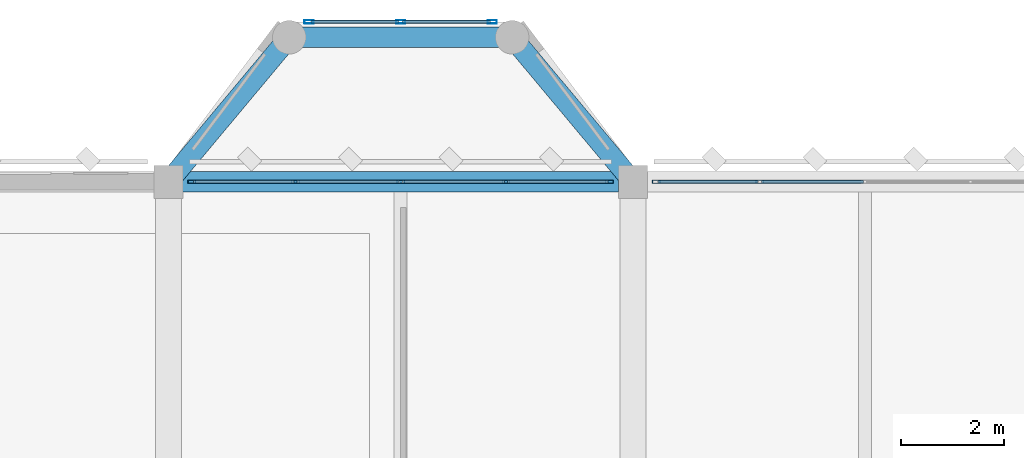
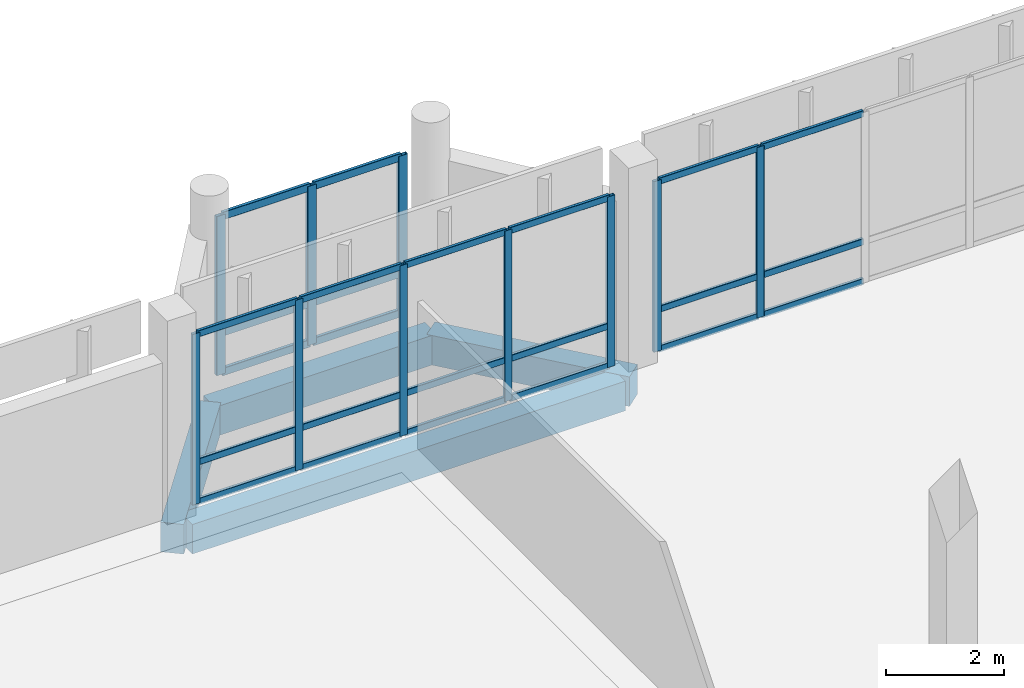
# One storey, part 62 of 158: 34 members, 4 beams, 3 elements without a shape of their own.
"""IFC4 building model written with IfcOpenShell, lengths in metres."""

from ifc_helpers import new_model, si_unit, direction, frame, origin, origin_2d, place, context, subcontext, project, spatial, rectangle, hollow_rectangle, extrude, material, material_profile, profile_set, type_object, element, aggregate, save


model = new_model("IFC4")

# Units and contexts
model_context = context("Model", 3, precision=1e-05, world=origin(), true_north=direction((0.0, 1.0)))
body_context = subcontext(model_context, "Body", "Model", "MODEL_VIEW")
ifc_project = project(units=[si_unit("LENGTHUNIT", "METRE"), si_unit("AREAUNIT", "SQUARE_METRE"), si_unit("VOLUMEUNIT", "CUBIC_METRE"), si_unit("PLANEANGLEUNIT", "RADIAN"), si_unit("MASSUNIT", "GRAM", prefix="KILO")], contexts=[model_context])

# Site, building, storey
site_placement = place(None, origin())
site = spatial("IfcSite", under=ifc_project, at=site_placement, CompositionType="ELEMENT")
building_placement = place(site_placement, origin())
building = spatial("IfcBuilding", under=site, at=building_placement, Name="Lusvemor Sports Hall", CompositionType="ELEMENT")
storey_placement = place(building_placement, frame((0.0, 0.0, 10.800048828125)))
storey = spatial("IfcBuildingStorey", under=building, at=storey_placement, Name="L02", CompositionType="ELEMENT", Elevation=10.800048828125)

# Curtain wall, members
ifc_material_1 = material(Name="Thermally broken bronze-anodized aluminium", Category="aluminium")
curtain_wall_type_1 = type_object("IfcCurtainWallType", Name="CW_FOYER_A", PredefinedType="NOTDEFINED", material=ifc_material_1)
curtain_wall_1_placement = place(storey_placement, origin())
curtain_wall_1 = element("IfcCurtainWall", 1, at=curtain_wall_1_placement, inside=storey, type_object=curtain_wall_type_1, Name="Curtain Wall CW-BOW-N2-L02-M", PredefinedType="NOTDEFINED")
ifc_material_2 = material(Name="Thermally broken bronze-anodized aluminium", Category="aluminium")
ifc_material_profile_1 = material_profile(ifc_material_2, hollow_rectangle(XDim=0.070068359375, YDim=0.179931640625, WallThickness=0.0048828125, InnerFilletRadius=0.0048828125, OuterFilletRadius=0.010009765625, at=origin_2d()), Name="CWMUL180x70x5")
ifc_profile_set_1 = profile_set([ifc_material_profile_1], Name="Thermally broken bronze-anodized aluminium")
member_type_1 = type_object("IfcMemberType", Name="CW_MUL_A", PredefinedType="MULLION", material=ifc_profile_set_1)
member_1_placement = place(storey_placement, frame((78.324951171875, 118.300048828125, 0.0), z_axis=(0.0, 0.0, 1.0), x_axis=(0.0, 1.0, 0.0)))
member_1 = element("IfcMember", 2, at=member_1_placement, type_object=member_type_1, Name="CW01 mullion 1", PredefinedType="MULLION", context=body_context, shape_type="SweptSolid", body=[
    extrude(hollow_rectangle(XDim=0.070068359375, YDim=0.179931640625, WallThickness=0.0048828125, InnerFilletRadius=0.0048828125, OuterFilletRadius=0.010009765625, at=origin_2d()), origin(), (0.0, 0.0, 1.0), 3.280029296875),
])
member_2_placement = place(storey_placement, frame((80.10009765625, 118.300048828125, 0.0), z_axis=(0.0, 0.0, 1.0), x_axis=(0.0, 1.0, 0.0)))
member_2 = element("IfcMember", 3, at=member_2_placement, type_object=member_type_1, Name="CW01 mullion 2", PredefinedType="MULLION", context=body_context, shape_type="SweptSolid", body=[
    extrude(hollow_rectangle(XDim=0.070068359375, YDim=0.179931640625, WallThickness=0.0048828125, InnerFilletRadius=0.0048828125, OuterFilletRadius=0.010009765625, at=origin_2d()), origin(), (0.0, 0.0, 1.0), 3.280029296875),
])
member_3_placement = place(storey_placement, frame((81.875, 118.300048828125, 0.0), z_axis=(0.0, 0.0, 1.0), x_axis=(0.0, 1.0, 0.0)))
member_3 = element("IfcMember", 4, at=member_3_placement, type_object=member_type_1, Name="CW01 mullion 3", PredefinedType="MULLION", context=body_context, shape_type="SweptSolid", body=[
    extrude(hollow_rectangle(XDim=0.070068359375, YDim=0.179931640625, WallThickness=0.0048828125, InnerFilletRadius=0.0048828125, OuterFilletRadius=0.010009765625, at=origin_2d()), origin(), (0.0, 0.0, 1.0), 3.280029296875),
])

ifc_material_3 = material(Name="Thermally broken bronze-anodized aluminium", Category="aluminium")
curtain_wall_type_2 = type_object("IfcCurtainWallType", Name="CW_WING_B", PredefinedType="NOTDEFINED", material=ifc_material_3)
curtain_wall_2_placement = place(storey_placement, origin())
curtain_wall_2 = element("IfcCurtainWall", 5, at=curtain_wall_2_placement, inside=storey, type_object=curtain_wall_type_2, Name="Curtain Wall CW-L02-N-1-7", PredefinedType="NOTDEFINED")
ifc_material_4 = material(Name="Thermally broken bronze-anodized aluminium", Category="aluminium")
ifc_material_profile_2 = material_profile(ifc_material_4, hollow_rectangle(XDim=0.06494140625, YDim=0.14990234375, WallThickness=0.00390625, InnerFilletRadius=0.00390625, OuterFilletRadius=0.008056640625, at=origin_2d()), Name="CWMUL150x65x4")
ifc_profile_set_2 = profile_set([ifc_material_profile_2], Name="Thermally broken bronze-anodized aluminium")
member_type_2 = type_object("IfcMemberType", Name="CW_MUL_B", PredefinedType="MULLION", material=ifc_profile_set_2)
member_4_placement = place(storey_placement, frame((76.052490234375, 115.199951171875, 0.0), z_axis=(0.0, 0.0, 1.0), x_axis=(0.0, 1.0, 0.0)))
member_4 = element("IfcMember", 6, at=member_4_placement, type_object=member_type_2, Name="CW02 mullion 1", PredefinedType="MULLION", context=body_context, shape_type="SweptSolid", body=[
    extrude(hollow_rectangle(XDim=0.06494140625, YDim=0.14990234375, WallThickness=0.00390625, InnerFilletRadius=0.00390625, OuterFilletRadius=0.008056640625, at=origin_2d()), origin(), (0.0, 0.0, 1.0), 3.52001953125),
])
member_5_placement = place(storey_placement, frame((78.06005859375, 115.199951171875, 0.0), z_axis=(0.0, 0.0, 1.0), x_axis=(0.0, 1.0, 0.0)))
member_5 = element("IfcMember", 7, at=member_5_placement, type_object=member_type_2, Name="CW02 mullion 2", PredefinedType="MULLION", context=body_context, shape_type="SweptSolid", body=[
    extrude(hollow_rectangle(XDim=0.06494140625, YDim=0.14990234375, WallThickness=0.00390625, InnerFilletRadius=0.00390625, OuterFilletRadius=0.008056640625, at=origin_2d()), origin(), (0.0, 0.0, 1.0), 3.52001953125),
])
member_6_placement = place(storey_placement, frame((80.10009765625, 115.199951171875, 0.0), z_axis=(0.0, 0.0, 1.0), x_axis=(0.0, 1.0, 0.0)))
member_6 = element("IfcMember", 8, at=member_6_placement, type_object=member_type_2, Name="CW02 mullion 3", PredefinedType="MULLION", context=body_context, shape_type="SweptSolid", body=[
    extrude(hollow_rectangle(XDim=0.06494140625, YDim=0.14990234375, WallThickness=0.00390625, InnerFilletRadius=0.00390625, OuterFilletRadius=0.008056640625, at=origin_2d()), origin(), (0.0, 0.0, 1.0), 3.52001953125),
])
member_7_placement = place(storey_placement, frame((82.139892578125, 115.199951171875, 0.0), z_axis=(0.0, 0.0, 1.0), x_axis=(0.0, 1.0, 0.0)))
member_7 = element("IfcMember", 9, at=member_7_placement, type_object=member_type_2, Name="CW02 mullion 4", PredefinedType="MULLION", context=body_context, shape_type="SweptSolid", body=[
    extrude(hollow_rectangle(XDim=0.06494140625, YDim=0.14990234375, WallThickness=0.00390625, InnerFilletRadius=0.00390625, OuterFilletRadius=0.008056640625, at=origin_2d()), origin(), (0.0, 0.0, 1.0), 3.52001953125),
])
member_8_placement = place(storey_placement, frame((84.1474609375, 115.199951171875, 0.0), z_axis=(0.0, 0.0, 1.0), x_axis=(0.0, 1.0, 0.0)))
member_8 = element("IfcMember", 10, at=member_8_placement, type_object=member_type_2, Name="CW02 mullion 5", PredefinedType="MULLION", context=body_context, shape_type="SweptSolid", body=[
    extrude(hollow_rectangle(XDim=0.06494140625, YDim=0.14990234375, WallThickness=0.00390625, InnerFilletRadius=0.00390625, OuterFilletRadius=0.008056640625, at=origin_2d()), origin(), (0.0, 0.0, 1.0), 3.52001953125),
])

curtain_wall_3_placement = place(storey_placement, origin())
curtain_wall_3 = element("IfcCurtainWall", 11, at=curtain_wall_3_placement, inside=storey, type_object=curtain_wall_type_2, Name="Curtain Wall CW-L02-N-1-8", PredefinedType="NOTDEFINED")
member_9_placement = place(storey_placement, frame((85.052490234375, 115.199951171875, 0.0), z_axis=(0.0, 0.0, 1.0), x_axis=(0.0, 1.0, 0.0)))
member_9 = element("IfcMember", 12, at=member_9_placement, type_object=member_type_2, Name="CW02 mullion 1", PredefinedType="MULLION", context=body_context, shape_type="SweptSolid", body=[
    extrude(hollow_rectangle(XDim=0.06494140625, YDim=0.14990234375, WallThickness=0.00390625, InnerFilletRadius=0.00390625, OuterFilletRadius=0.008056640625, at=origin_2d()), origin(), (0.0, 0.0, 1.0), 3.52001953125),
])
member_10_placement = place(storey_placement, frame((87.06005859375, 115.199951171875, 0.0), z_axis=(0.0, 0.0, 1.0), x_axis=(0.0, 1.0, 0.0)))
member_10 = element("IfcMember", 13, at=member_10_placement, type_object=member_type_2, Name="CW02 mullion 2", PredefinedType="MULLION", context=body_context, shape_type="SweptSolid", body=[
    extrude(hollow_rectangle(XDim=0.06494140625, YDim=0.14990234375, WallThickness=0.00390625, InnerFilletRadius=0.00390625, OuterFilletRadius=0.008056640625, at=origin_2d()), origin(), (0.0, 0.0, 1.0), 3.52001953125),
])

# Member
ifc_material_5 = material(Name="Thermally broken bronze-anodized aluminium", Category="aluminium")
ifc_material_profile_3 = material_profile(ifc_material_5, hollow_rectangle(XDim=0.06494140625, YDim=0.159912109375, WallThickness=0.00390625, InnerFilletRadius=0.00390625, OuterFilletRadius=0.008056640625, at=origin_2d()), Name="CWTRN160x65x4")
ifc_profile_set_3 = profile_set([ifc_material_profile_3], Name="Thermally broken bronze-anodized aluminium")
member_type_3 = type_object("IfcMemberType", Name="CW_TRN_A", PredefinedType="USERDEFINED", material=ifc_profile_set_3)
member_11_placement = place(storey_placement, frame((78.360107421875, 118.300048828125, 0.032470703125), z_axis=(1.0, 0.0, 0.0), x_axis=(0.0, 1.0, 0.0)))
member_11 = element("IfcMember", 14, at=member_11_placement, type_object=member_type_3, Name="CW01 transom 1.1", ObjectType="TRANSOM", PredefinedType="USERDEFINED", context=body_context, shape_type="SweptSolid", body=[
    extrude(hollow_rectangle(XDim=0.06494140625, YDim=0.159912109375, WallThickness=0.00390625, InnerFilletRadius=0.00390625, OuterFilletRadius=0.008056640625, at=origin_2d()), origin(), (0.0, 0.0, 1.0), 1.704833984375),
])

member_12_placement = place(storey_placement, frame((78.360107421875, 118.300048828125, 0.849853515625), z_axis=(1.0, 0.0, 0.0), x_axis=(0.0, 1.0, 0.0)))
member_12 = element("IfcMember", 15, at=member_12_placement, type_object=member_type_3, Name="CW01 transom 1.2", ObjectType="TRANSOM", PredefinedType="USERDEFINED", context=body_context, shape_type="SweptSolid", body=[
    extrude(hollow_rectangle(XDim=0.06494140625, YDim=0.159912109375, WallThickness=0.00390625, InnerFilletRadius=0.00390625, OuterFilletRadius=0.008056640625, at=origin_2d()), origin(), (0.0, 0.0, 1.0), 1.704833984375),
])

member_13_placement = place(storey_placement, frame((78.360107421875, 118.300048828125, 3.24755859375), z_axis=(1.0, 0.0, 0.0), x_axis=(0.0, 1.0, 0.0)))
member_13 = element("IfcMember", 16, at=member_13_placement, type_object=member_type_3, Name="CW01 transom 1.3", ObjectType="TRANSOM", PredefinedType="USERDEFINED", context=body_context, shape_type="SweptSolid", body=[
    extrude(hollow_rectangle(XDim=0.06494140625, YDim=0.159912109375, WallThickness=0.00390625, InnerFilletRadius=0.00390625, OuterFilletRadius=0.008056640625, at=origin_2d()), origin(), (0.0, 0.0, 1.0), 1.704833984375),
])

member_14_placement = place(storey_placement, frame((80.135009765625, 118.300048828125, 0.032470703125), z_axis=(1.0, 0.0, 0.0), x_axis=(0.0, 1.0, 0.0)))
member_14 = element("IfcMember", 17, at=member_14_placement, type_object=member_type_3, Name="CW01 transom 2.1", ObjectType="TRANSOM", PredefinedType="USERDEFINED", context=body_context, shape_type="SweptSolid", body=[
    extrude(hollow_rectangle(XDim=0.06494140625, YDim=0.159912109375, WallThickness=0.00390625, InnerFilletRadius=0.00390625, OuterFilletRadius=0.008056640625, at=origin_2d()), origin(), (0.0, 0.0, 1.0), 1.705078125),
])

member_15_placement = place(storey_placement, frame((80.135009765625, 118.300048828125, 0.849853515625), z_axis=(1.0, 0.0, 0.0), x_axis=(0.0, 1.0, 0.0)))
member_15 = element("IfcMember", 18, at=member_15_placement, type_object=member_type_3, Name="CW01 transom 2.2", ObjectType="TRANSOM", PredefinedType="USERDEFINED", context=body_context, shape_type="SweptSolid", body=[
    extrude(hollow_rectangle(XDim=0.06494140625, YDim=0.159912109375, WallThickness=0.00390625, InnerFilletRadius=0.00390625, OuterFilletRadius=0.008056640625, at=origin_2d()), origin(), (0.0, 0.0, 1.0), 1.705078125),
])

member_16_placement = place(storey_placement, frame((80.135009765625, 118.300048828125, 3.24755859375), z_axis=(1.0, 0.0, 0.0), x_axis=(0.0, 1.0, 0.0)))
member_16 = element("IfcMember", 19, at=member_16_placement, type_object=member_type_3, Name="CW01 transom 2.3", ObjectType="TRANSOM", PredefinedType="USERDEFINED", context=body_context, shape_type="SweptSolid", body=[
    extrude(hollow_rectangle(XDim=0.06494140625, YDim=0.159912109375, WallThickness=0.00390625, InnerFilletRadius=0.00390625, OuterFilletRadius=0.008056640625, at=origin_2d()), origin(), (0.0, 0.0, 1.0), 1.705078125),
])

aggregate(curtain_wall_1, [member_1, member_2, member_3, member_11, member_12, member_13, member_14, member_15, member_16])

ifc_material_6 = material(Name="Thermally broken bronze-anodized aluminium", Category="aluminium")
ifc_material_profile_4 = material_profile(ifc_material_6, hollow_rectangle(XDim=0.06005859375, YDim=0.135009765625, WallThickness=0.00390625, InnerFilletRadius=0.00390625, OuterFilletRadius=0.008056640625, at=origin_2d()), Name="CWTRN135x60x4")
ifc_profile_set_4 = profile_set([ifc_material_profile_4], Name="Thermally broken bronze-anodized aluminium")
member_type_4 = type_object("IfcMemberType", Name="CW_TRN_B", PredefinedType="USERDEFINED", material=ifc_profile_set_4)
member_17_placement = place(storey_placement, frame((76.0849609375, 115.199951171875, 0.030029296875), z_axis=(1.0, 0.0, 0.0), x_axis=(0.0, 1.0, 0.0)))
member_17 = element("IfcMember", 20, at=member_17_placement, type_object=member_type_4, Name="CW02 transom 1.1", ObjectType="TRANSOM", PredefinedType="USERDEFINED", context=body_context, shape_type="SweptSolid", body=[
    extrude(hollow_rectangle(XDim=0.06005859375, YDim=0.135009765625, WallThickness=0.00390625, InnerFilletRadius=0.00390625, OuterFilletRadius=0.008056640625, at=origin_2d()), origin(), (0.0, 0.0, 1.0), 1.942626953125),
])

member_18_placement = place(storey_placement, frame((76.0849609375, 115.199951171875, 0.849853515625), z_axis=(1.0, 0.0, 0.0), x_axis=(0.0, 1.0, 0.0)))
member_18 = element("IfcMember", 21, at=member_18_placement, type_object=member_type_4, Name="CW02 transom 1.2", ObjectType="TRANSOM", PredefinedType="USERDEFINED", context=body_context, shape_type="SweptSolid", body=[
    extrude(hollow_rectangle(XDim=0.06005859375, YDim=0.135009765625, WallThickness=0.00390625, InnerFilletRadius=0.00390625, OuterFilletRadius=0.008056640625, at=origin_2d()), origin(), (0.0, 0.0, 1.0), 1.942626953125),
])

member_19_placement = place(storey_placement, frame((76.0849609375, 115.199951171875, 3.489990234375), z_axis=(1.0, 0.0, 0.0), x_axis=(0.0, 1.0, 0.0)))
member_19 = element("IfcMember", 22, at=member_19_placement, type_object=member_type_4, Name="CW02 transom 1.3", ObjectType="TRANSOM", PredefinedType="USERDEFINED", context=body_context, shape_type="SweptSolid", body=[
    extrude(hollow_rectangle(XDim=0.06005859375, YDim=0.135009765625, WallThickness=0.00390625, InnerFilletRadius=0.00390625, OuterFilletRadius=0.008056640625, at=origin_2d()), origin(), (0.0, 0.0, 1.0), 1.942626953125),
])

member_20_placement = place(storey_placement, frame((78.092529296875, 115.199951171875, 0.030029296875), z_axis=(1.0, 0.0, 0.0), x_axis=(0.0, 1.0, 0.0)))
member_20 = element("IfcMember", 23, at=member_20_placement, type_object=member_type_4, Name="CW02 transom 2.1", ObjectType="TRANSOM", PredefinedType="USERDEFINED", context=body_context, shape_type="SweptSolid", body=[
    extrude(hollow_rectangle(XDim=0.06005859375, YDim=0.135009765625, WallThickness=0.00390625, InnerFilletRadius=0.00390625, OuterFilletRadius=0.008056640625, at=origin_2d()), origin(), (0.0, 0.0, 1.0), 1.974853515625),
])

member_21_placement = place(storey_placement, frame((78.092529296875, 115.199951171875, 0.849853515625), z_axis=(1.0, 0.0, 0.0), x_axis=(0.0, 1.0, 0.0)))
member_21 = element("IfcMember", 24, at=member_21_placement, type_object=member_type_4, Name="CW02 transom 2.2", ObjectType="TRANSOM", PredefinedType="USERDEFINED", context=body_context, shape_type="SweptSolid", body=[
    extrude(hollow_rectangle(XDim=0.06005859375, YDim=0.135009765625, WallThickness=0.00390625, InnerFilletRadius=0.00390625, OuterFilletRadius=0.008056640625, at=origin_2d()), origin(), (0.0, 0.0, 1.0), 1.974853515625),
])

member_22_placement = place(storey_placement, frame((78.092529296875, 115.199951171875, 3.489990234375), z_axis=(1.0, 0.0, 0.0), x_axis=(0.0, 1.0, 0.0)))
member_22 = element("IfcMember", 25, at=member_22_placement, type_object=member_type_4, Name="CW02 transom 2.3", ObjectType="TRANSOM", PredefinedType="USERDEFINED", context=body_context, shape_type="SweptSolid", body=[
    extrude(hollow_rectangle(XDim=0.06005859375, YDim=0.135009765625, WallThickness=0.00390625, InnerFilletRadius=0.00390625, OuterFilletRadius=0.008056640625, at=origin_2d()), origin(), (0.0, 0.0, 1.0), 1.974853515625),
])

member_23_placement = place(storey_placement, frame((80.132568359375, 115.199951171875, 0.030029296875), z_axis=(1.0, 0.0, 0.0), x_axis=(0.0, 1.0, 0.0)))
member_23 = element("IfcMember", 26, at=member_23_placement, type_object=member_type_4, Name="CW02 transom 3.1", ObjectType="TRANSOM", PredefinedType="USERDEFINED", context=body_context, shape_type="SweptSolid", body=[
    extrude(hollow_rectangle(XDim=0.06005859375, YDim=0.135009765625, WallThickness=0.00390625, InnerFilletRadius=0.00390625, OuterFilletRadius=0.008056640625, at=origin_2d()), origin(), (0.0, 0.0, 1.0), 1.974853515625),
])

member_24_placement = place(storey_placement, frame((80.132568359375, 115.199951171875, 0.849853515625), z_axis=(1.0, 0.0, 0.0), x_axis=(0.0, 1.0, 0.0)))
member_24 = element("IfcMember", 27, at=member_24_placement, type_object=member_type_4, Name="CW02 transom 3.2", ObjectType="TRANSOM", PredefinedType="USERDEFINED", context=body_context, shape_type="SweptSolid", body=[
    extrude(hollow_rectangle(XDim=0.06005859375, YDim=0.135009765625, WallThickness=0.00390625, InnerFilletRadius=0.00390625, OuterFilletRadius=0.008056640625, at=origin_2d()), origin(), (0.0, 0.0, 1.0), 1.974853515625),
])

member_25_placement = place(storey_placement, frame((80.132568359375, 115.199951171875, 3.489990234375), z_axis=(1.0, 0.0, 0.0), x_axis=(0.0, 1.0, 0.0)))
member_25 = element("IfcMember", 28, at=member_25_placement, type_object=member_type_4, Name="CW02 transom 3.3", ObjectType="TRANSOM", PredefinedType="USERDEFINED", context=body_context, shape_type="SweptSolid", body=[
    extrude(hollow_rectangle(XDim=0.06005859375, YDim=0.135009765625, WallThickness=0.00390625, InnerFilletRadius=0.00390625, OuterFilletRadius=0.008056640625, at=origin_2d()), origin(), (0.0, 0.0, 1.0), 1.974853515625),
])

member_26_placement = place(storey_placement, frame((82.172607421875, 115.199951171875, 0.030029296875), z_axis=(1.0, 0.0, 0.0), x_axis=(0.0, 1.0, 0.0)))
member_26 = element("IfcMember", 29, at=member_26_placement, type_object=member_type_4, Name="CW02 transom 4.1", ObjectType="TRANSOM", PredefinedType="USERDEFINED", context=body_context, shape_type="SweptSolid", body=[
    extrude(hollow_rectangle(XDim=0.06005859375, YDim=0.135009765625, WallThickness=0.00390625, InnerFilletRadius=0.00390625, OuterFilletRadius=0.008056640625, at=origin_2d()), origin(), (0.0, 0.0, 1.0), 1.9423828125),
])

member_27_placement = place(storey_placement, frame((82.172607421875, 115.199951171875, 0.849853515625), z_axis=(1.0, 0.0, 0.0), x_axis=(0.0, 1.0, 0.0)))
member_27 = element("IfcMember", 30, at=member_27_placement, type_object=member_type_4, Name="CW02 transom 4.2", ObjectType="TRANSOM", PredefinedType="USERDEFINED", context=body_context, shape_type="SweptSolid", body=[
    extrude(hollow_rectangle(XDim=0.06005859375, YDim=0.135009765625, WallThickness=0.00390625, InnerFilletRadius=0.00390625, OuterFilletRadius=0.008056640625, at=origin_2d()), origin(), (0.0, 0.0, 1.0), 1.9423828125),
])

member_28_placement = place(storey_placement, frame((82.172607421875, 115.199951171875, 3.489990234375), z_axis=(1.0, 0.0, 0.0), x_axis=(0.0, 1.0, 0.0)))
member_28 = element("IfcMember", 31, at=member_28_placement, type_object=member_type_4, Name="CW02 transom 4.3", ObjectType="TRANSOM", PredefinedType="USERDEFINED", context=body_context, shape_type="SweptSolid", body=[
    extrude(hollow_rectangle(XDim=0.06005859375, YDim=0.135009765625, WallThickness=0.00390625, InnerFilletRadius=0.00390625, OuterFilletRadius=0.008056640625, at=origin_2d()), origin(), (0.0, 0.0, 1.0), 1.9423828125),
])

aggregate(curtain_wall_2, [member_4, member_5, member_6, member_7, member_8, member_17, member_18, member_19, member_20, member_21, member_22, member_23, member_24, member_25, member_26, member_27, member_28])

member_29_placement = place(storey_placement, frame((85.0849609375, 115.199951171875, 0.030029296875), z_axis=(1.0, 0.0, 0.0), x_axis=(0.0, 1.0, 0.0)))
member_29 = element("IfcMember", 32, at=member_29_placement, type_object=member_type_4, Name="CW02 transom 1.1", ObjectType="TRANSOM", PredefinedType="USERDEFINED", context=body_context, shape_type="SweptSolid", body=[
    extrude(hollow_rectangle(XDim=0.06005859375, YDim=0.135009765625, WallThickness=0.00390625, InnerFilletRadius=0.00390625, OuterFilletRadius=0.008056640625, at=origin_2d()), origin(), (0.0, 0.0, 1.0), 1.942626953125),
])

member_30_placement = place(storey_placement, frame((85.0849609375, 115.199951171875, 0.849853515625), z_axis=(1.0, 0.0, 0.0), x_axis=(0.0, 1.0, 0.0)))
member_30 = element("IfcMember", 33, at=member_30_placement, type_object=member_type_4, Name="CW02 transom 1.2", ObjectType="TRANSOM", PredefinedType="USERDEFINED", context=body_context, shape_type="SweptSolid", body=[
    extrude(hollow_rectangle(XDim=0.06005859375, YDim=0.135009765625, WallThickness=0.00390625, InnerFilletRadius=0.00390625, OuterFilletRadius=0.008056640625, at=origin_2d()), origin(), (0.0, 0.0, 1.0), 1.942626953125),
])

member_31_placement = place(storey_placement, frame((85.0849609375, 115.199951171875, 3.489990234375), z_axis=(1.0, 0.0, 0.0), x_axis=(0.0, 1.0, 0.0)))
member_31 = element("IfcMember", 34, at=member_31_placement, type_object=member_type_4, Name="CW02 transom 1.3", ObjectType="TRANSOM", PredefinedType="USERDEFINED", context=body_context, shape_type="SweptSolid", body=[
    extrude(hollow_rectangle(XDim=0.06005859375, YDim=0.135009765625, WallThickness=0.00390625, InnerFilletRadius=0.00390625, OuterFilletRadius=0.008056640625, at=origin_2d()), origin(), (0.0, 0.0, 1.0), 1.942626953125),
])

member_32_placement = place(storey_placement, frame((87.092529296875, 115.199951171875, 0.030029296875), z_axis=(1.0, 0.0, 0.0), x_axis=(0.0, 1.0, 0.0)))
member_32 = element("IfcMember", 35, at=member_32_placement, type_object=member_type_4, Name="CW02 transom 2.1", ObjectType="TRANSOM", PredefinedType="USERDEFINED", context=body_context, shape_type="SweptSolid", body=[
    extrude(hollow_rectangle(XDim=0.06005859375, YDim=0.135009765625, WallThickness=0.00390625, InnerFilletRadius=0.00390625, OuterFilletRadius=0.008056640625, at=origin_2d()), origin(), (0.0, 0.0, 1.0), 1.974853515625),
])

member_33_placement = place(storey_placement, frame((87.092529296875, 115.199951171875, 0.849853515625), z_axis=(1.0, 0.0, 0.0), x_axis=(0.0, 1.0, 0.0)))
member_33 = element("IfcMember", 36, at=member_33_placement, type_object=member_type_4, Name="CW02 transom 2.2", ObjectType="TRANSOM", PredefinedType="USERDEFINED", context=body_context, shape_type="SweptSolid", body=[
    extrude(hollow_rectangle(XDim=0.06005859375, YDim=0.135009765625, WallThickness=0.00390625, InnerFilletRadius=0.00390625, OuterFilletRadius=0.008056640625, at=origin_2d()), origin(), (0.0, 0.0, 1.0), 1.974853515625),
])

member_34_placement = place(storey_placement, frame((87.092529296875, 115.199951171875, 3.489990234375), z_axis=(1.0, 0.0, 0.0), x_axis=(0.0, 1.0, 0.0)))
member_34 = element("IfcMember", 37, at=member_34_placement, type_object=member_type_4, Name="CW02 transom 2.3", ObjectType="TRANSOM", PredefinedType="USERDEFINED", context=body_context, shape_type="SweptSolid", body=[
    extrude(hollow_rectangle(XDim=0.06005859375, YDim=0.135009765625, WallThickness=0.00390625, InnerFilletRadius=0.00390625, OuterFilletRadius=0.008056640625, at=origin_2d()), origin(), (0.0, 0.0, 1.0), 1.974853515625),
])

aggregate(curtain_wall_3, [member_9, member_10, member_29, member_30, member_31, member_32, member_33, member_34])

# Beams
ifc_material_7 = material(Name="Concrete C40/50", Category="concrete")
ifc_material_profile_5 = material_profile(ifc_material_7, rectangle(XDim=0.39990234375, YDim=0.610107421875, at=origin_2d()), Name="RC400x610")
ifc_profile_set_5 = profile_set([ifc_material_profile_5], Name="Concrete C40/50")
beam_type = type_object("IfcBeamType", Name="SPAND_EXT_650", PredefinedType="SPANDREL", material=ifc_profile_set_5)
beam_1_placement = place(storey_placement, frame((75.8759765625, 115.199951171875, -0.56494140625), z_axis=(1.0, 0.0, 0.0), x_axis=(0.0, 1.0, 0.0)))
element("IfcBeam", 38, at=beam_1_placement, inside=storey, type_object=beam_type, Name="Beam L02 Q:8-9", PredefinedType="SPANDREL", context=body_context, shape_type="SweptSolid", body=[
    extrude(rectangle(XDim=0.39990234375, YDim=0.610107421875, at=origin_2d()), origin(), (0.0, 0.0, 1.0), 8.447998046875),
])
beam_2_placement = place(storey_placement, frame((75.60009765625, 115.199951171875, -0.56494140625), z_axis=(0.6412301768, 0.767348591164, 0.0), x_axis=(-0.767348591164, 0.6412301768, 0.0)))
element("IfcBeam", 39, at=beam_2_placement, inside=storey, type_object=beam_type, Name="Bow Pavilion Edge Beam BOW-N2 L02-1", PredefinedType="SPANDREL", context=body_context, shape_type="SweptSolid", body=[
    extrude(rectangle(XDim=0.39990234375, YDim=0.610107421875, at=origin_2d()), origin(), (0.0, 0.0, 1.0), 3.64892578125),
])
beam_3_placement = place(storey_placement, frame((77.93994140625, 118.0, -0.56494140625), z_axis=(1.0, 0.0, 0.0), x_axis=(0.0, 1.0, 0.0)))
element("IfcBeam", 40, at=beam_3_placement, inside=storey, type_object=beam_type, Name="Bow Pavilion Edge Beam BOW-N2 L02-2", PredefinedType="SPANDREL", context=body_context, shape_type="SweptSolid", body=[
    extrude(rectangle(XDim=0.39990234375, YDim=0.610107421875, at=origin_2d()), origin(), (0.0, 0.0, 1.0), 4.320068359375),
])
beam_4_placement = place(storey_placement, frame((82.260009765625, 118.0, -0.56494140625), z_axis=(0.641269570303, -0.767315670506, 0.0), x_axis=(0.767315670506, 0.641269570303, 0.0)))
element("IfcBeam", 41, at=beam_4_placement, inside=storey, type_object=beam_type, Name="Bow Pavilion Edge Beam BOW-N2 L02-3", PredefinedType="SPANDREL", context=body_context, shape_type="SweptSolid", body=[
    extrude(rectangle(XDim=0.39990234375, YDim=0.610107421875, at=origin_2d()), origin(), (0.0, 0.0, 1.0), 3.649169921875),
])

save(model, "model.ifc")
